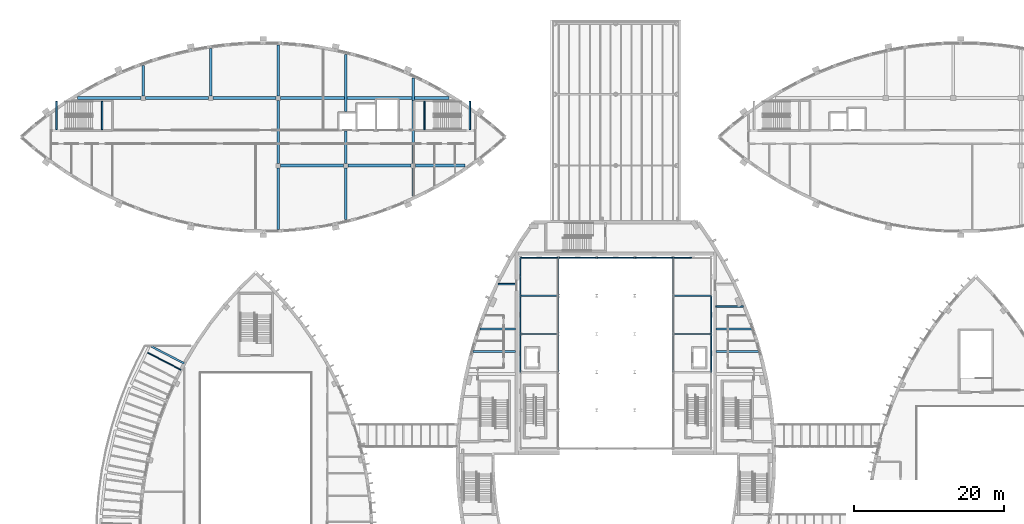
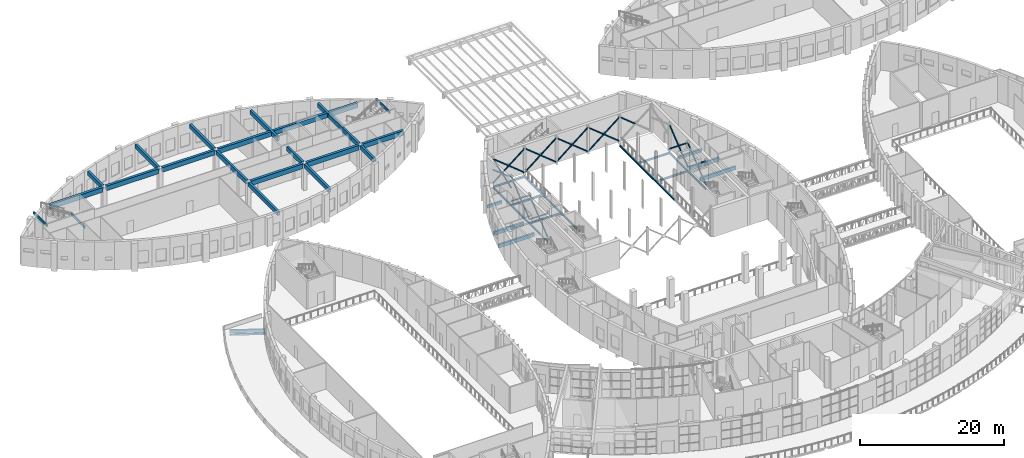
# One storey, part 37 of 93: 47 beams, 28 members.
"""IFC4 building model written with IfcOpenShell, lengths in metres."""

from ifc_helpers import new_model, si_unit, direction, frame, origin, origin_2d, place, context, subcontext, project, spatial, rectangle, hollow_circle, i_section, extrude, material, material_profile, profile_set, type_object, element, save


model = new_model("IFC4")

# Units and contexts
model_context = context("Model", 3, precision=1e-05, world=origin(), true_north=direction((0.0, 1.0)))
body_context = subcontext(model_context, "Body", "Model", "MODEL_VIEW")
ifc_project = project(units=[si_unit("LENGTHUNIT", "METRE"), si_unit("AREAUNIT", "SQUARE_METRE"), si_unit("VOLUMEUNIT", "CUBIC_METRE"), si_unit("PLANEANGLEUNIT", "RADIAN"), si_unit("MASSUNIT", "GRAM", prefix="KILO")], contexts=[model_context])

# Site, building, storey
site_placement = place(None, origin())
site = spatial("IfcSite", under=ifc_project, at=site_placement, CompositionType="ELEMENT")
building_placement = place(site_placement, origin())
building = spatial("IfcBuilding", under=site, at=building_placement, Name="Tide Square Theatres", CompositionType="ELEMENT")
storey_placement = place(building_placement, frame((0.0, 0.0, 5.39990234375)))
storey = spatial("IfcBuildingStorey", under=building, at=storey_placement, Name="L01", CompositionType="ELEMENT", Elevation=5.39990234375)

# Beams
ifc_material_1 = material(Name="Concrete C35", Category="concrete")
ifc_material_profile_1 = material_profile(ifc_material_1, rectangle(XDim=0.14990234375, YDim=0.300048828125, at=origin_2d()))
ifc_profile_set_1 = profile_set([ifc_material_profile_1], Name="Concrete C35")
beam_type_1 = type_object("IfcBeamType", Name="RC arcade roof rib 150 x 300", PredefinedType="JOIST", material=ifc_profile_set_1)
beam_1_placement = place(storey_placement, frame((21.572509765625, 69.064697265625, -0.349853515625), z_axis=(0.888266219399, -0.459328992634, 0.0), x_axis=(0.459328992634, 0.888266219399, 0.0)))
element("IfcBeam", 1, at=beam_1_placement, inside=storey, type_object=beam_type_1, Name="Arcade roof rib", PredefinedType="JOIST", context=body_context, shape_type="SweptSolid", body=[
    extrude(rectangle(XDim=0.14990234375, YDim=0.300048828125, at=origin_2d()), origin(), (0.0, 0.0, 1.0), 5.020751953125),
])
ifc_material_2 = material(Name="Concrete C35", Category="concrete")
ifc_material_profile_2 = material_profile(ifc_material_2, rectangle(XDim=0.199951171875, YDim=0.39990234375, at=origin_2d()))
ifc_profile_set_2 = profile_set([ifc_material_profile_2], Name="Concrete C35")
beam_type_2 = type_object("IfcBeamType", Name="RC beam 200 x 400", PredefinedType="BEAM", material=ifc_profile_set_2)
for number, where, z_axis, x_axis, name in (
    (2, (9.449951171875, 98.800048828125, 4.320068359375), (0.0, 1.0, 0.0), (-1.0, 0.0, 0.0), "Scenery Workshops stair floor landing beam"),
    (3, (15.51953125, 98.800048828125, 2.0), (0.0, 1.0, 0.0), (-1.0, 0.0, 0.0), "Scenery Workshops stair landing beam"),
    (4, (64.550048828125, 102.550048828125, 4.320068359375), (0.0, -1.0, 0.0), (1.0, 0.0, 0.0), "Scenery Workshops stair floor landing beam"),
    (5, (58.48046875, 98.800048828125, 2.0), (0.0, 1.0, 0.0), (-1.0, 0.0, 0.0), "Scenery Workshops stair landing beam"),
):
    element("IfcBeam", number, at=place(storey_placement, frame(where, z_axis=z_axis, x_axis=x_axis)), inside=storey, type_object=beam_type_2, Name=name, PredefinedType="BEAM", context=body_context, shape_type="SweptSolid", body=[
        extrude(rectangle(XDim=0.199951171875, YDim=0.39990234375, at=origin_2d()), origin(), (0.0, 0.0, 1.0), 3.75),
    ])
ifc_material_3 = material(Name="Concrete C35", Category="concrete")
ifc_material_profile_3 = material_profile(ifc_material_3, rectangle(XDim=0.25, YDim=0.5, at=origin_2d()))
ifc_profile_set_3 = profile_set([ifc_material_profile_3], Name="Concrete C35")
beam_type_3 = type_object("IfcBeamType", Name="RC beam 250 x 500", PredefinedType="BEAM", material=ifc_profile_set_3)
beam_2_placement = place(storey_placement, frame((22.076416015625, 69.88525390625, -0.449951171875), z_axis=(0.888268300343, -0.459324968412, 0.0), x_axis=(0.459324968412, 0.888268300343, 0.0)))
element("IfcBeam", 6, at=beam_2_placement, inside=storey, type_object=beam_type_3, Name="Arcade slab beam", PredefinedType="BEAM", context=body_context, shape_type="SweptSolid", body=[
    extrude(rectangle(XDim=0.25, YDim=0.5, at=origin_2d()), origin(), (0.0, 0.0, 1.0), 4.949951171875),
])
beam_3_placement = place(storey_placement, frame((68.314697265625, 78.199951171875, -0.5), z_axis=(1.0, 0.0, 0.0), x_axis=(0.0, 1.0, 0.0)))
element("IfcBeam", 7, at=beam_3_placement, inside=storey, type_object=beam_type_3, Name="Floor beam", PredefinedType="BEAM", context=body_context, shape_type="SweptSolid", body=[
    extrude(rectangle(XDim=0.25, YDim=0.5, at=origin_2d()), origin(), (0.0, 0.0, 1.0), 2.335205078125),
])
beam_4_placement = place(storey_placement, frame((97.35009765625, 75.199951171875, -0.5), z_axis=(1.0, 0.0, 0.0), x_axis=(0.0, 1.0, 0.0)))
element("IfcBeam", 8, at=beam_4_placement, inside=storey, type_object=beam_type_3, Name="Floor beam", PredefinedType="BEAM", context=body_context, shape_type="SweptSolid", body=[
    extrude(rectangle(XDim=0.25, YDim=0.5, at=origin_2d()), origin(), (0.0, 0.0, 1.0), 3.663330078125),
])
ifc_material_4 = material(Name="Concrete C35", Category="concrete")
ifc_material_profile_4 = material_profile(ifc_material_4, rectangle(XDim=0.300048828125, YDim=0.60009765625, at=origin_2d()))
ifc_profile_set_4 = profile_set([ifc_material_profile_4], Name="Concrete C35")
beam_type_4 = type_object("IfcBeamType", Name="RC beam 300 x 600", PredefinedType="BEAM", material=ifc_profile_set_4)
beam_5_placement = place(storey_placement, frame((64.94970703125, 69.199951171875, -0.5498046875), z_axis=(1.0, 0.0, 0.0), x_axis=(0.0, 1.0, 0.0)))
element("IfcBeam", 9, at=beam_5_placement, inside=storey, type_object=beam_type_4, Name="Floor beam", PredefinedType="BEAM", context=body_context, shape_type="SweptSolid", body=[
    extrude(rectangle(XDim=0.300048828125, YDim=0.60009765625, at=origin_2d()), origin(), (0.0, 0.0, 1.0), 5.7001953125),
])
beam_6_placement = place(storey_placement, frame((65.870849609375, 72.199951171875, -0.5498046875), z_axis=(1.0, 0.0, 0.0), x_axis=(0.0, 1.0, 0.0)))
element("IfcBeam", 10, at=beam_6_placement, inside=storey, type_object=beam_type_4, Name="Floor beam", PredefinedType="BEAM", context=body_context, shape_type="SweptSolid", body=[
    extrude(rectangle(XDim=0.300048828125, YDim=0.60009765625, at=origin_2d()), origin(), (0.0, 0.0, 1.0), 4.779052734375),
])
beam_7_placement = place(storey_placement, frame((97.35009765625, 69.199951171875, -0.5498046875), z_axis=(1.0, 0.0, 0.0), x_axis=(0.0, 1.0, 0.0)))
element("IfcBeam", 11, at=beam_7_placement, inside=storey, type_object=beam_type_4, Name="Floor beam", PredefinedType="BEAM", context=body_context, shape_type="SweptSolid", body=[
    extrude(rectangle(XDim=0.300048828125, YDim=0.60009765625, at=origin_2d()), origin(), (0.0, 0.0, 1.0), 5.7001953125),
])
beam_8_placement = place(storey_placement, frame((97.35009765625, 72.199951171875, -0.5498046875), z_axis=(1.0, 0.0, 0.0), x_axis=(0.0, 1.0, 0.0)))
element("IfcBeam", 12, at=beam_8_placement, inside=storey, type_object=beam_type_4, Name="Floor beam", PredefinedType="BEAM", context=body_context, shape_type="SweptSolid", body=[
    extrude(rectangle(XDim=0.300048828125, YDim=0.60009765625, at=origin_2d()), origin(), (0.0, 0.0, 1.0), 4.779052734375),
])
ifc_material_5 = material(Name="Concrete C35", Category="concrete")
ifc_material_profile_5 = material_profile(ifc_material_5, rectangle(XDim=0.35009765625, YDim=0.699951171875, at=origin_2d()))
ifc_profile_set_5 = profile_set([ifc_material_profile_5], Name="Concrete C35")
beam_type_5 = type_object("IfcBeamType", Name="RC beam 350 x 700", PredefinedType="BEAM", material=ifc_profile_set_5)
beam_9_placement = place(storey_placement, frame((21.0, 103.300048828125, 4.170166015625), z_axis=(0.0, 1.0, 0.0), x_axis=(-1.0, 0.0, 0.0)))
element("IfcBeam", 13, at=beam_9_placement, inside=storey, type_object=beam_type_5, Name="Scenery Workshops floor beam L02 8", PredefinedType="BEAM", context=body_context, shape_type="SweptSolid", body=[
    extrude(rectangle(XDim=0.35009765625, YDim=0.699951171875, at=origin_2d()), origin(), (0.0, 0.0, 1.0), 4.004150390625),
])
beam_10_placement = place(storey_placement, frame((30.0, 103.300048828125, 4.170166015625), z_axis=(0.0, 1.0, 0.0), x_axis=(-1.0, 0.0, 0.0)))
element("IfcBeam", 14, at=beam_10_placement, inside=storey, type_object=beam_type_5, Name="Scenery Workshops floor beam L02 9", PredefinedType="BEAM", context=body_context, shape_type="SweptSolid", body=[
    extrude(rectangle(XDim=0.35009765625, YDim=0.699951171875, at=origin_2d()), origin(), (0.0, 0.0, 1.0), 6.30712890625),
])
beam_11_placement = place(storey_placement, frame((39.0, 85.501708984375, 4.170166015625), z_axis=(0.0, 1.0, 0.0), x_axis=(-1.0, 0.0, 0.0)))
element("IfcBeam", 15, at=beam_11_placement, inside=storey, type_object=beam_type_5, Name="Scenery Workshops floor beam L02 10", PredefinedType="BEAM", context=body_context, shape_type="SweptSolid", body=[
    extrude(rectangle(XDim=0.35009765625, YDim=0.699951171875, at=origin_2d()), origin(), (0.0, 0.0, 1.0), 8.1982421875),
])
beam_12_placement = place(storey_placement, frame((39.0, 94.300048828125, 4.170166015625), z_axis=(0.0, 1.0, 0.0), x_axis=(-1.0, 0.0, 0.0)))
element("IfcBeam", 16, at=beam_12_placement, inside=storey, type_object=beam_type_5, Name="Scenery Workshops floor beam L02 11", PredefinedType="BEAM", context=body_context, shape_type="SweptSolid", body=[
    extrude(rectangle(XDim=0.35009765625, YDim=0.699951171875, at=origin_2d()), origin(), (0.0, 0.0, 1.0), 8.39990234375),
])
beam_13_placement = place(storey_placement, frame((39.0, 103.300048828125, 4.170166015625), z_axis=(0.0, 1.0, 0.0), x_axis=(-1.0, 0.0, 0.0)))
element("IfcBeam", 17, at=beam_13_placement, inside=storey, type_object=beam_type_5, Name="Scenery Workshops floor beam L02 12", PredefinedType="BEAM", context=body_context, shape_type="SweptSolid", body=[
    extrude(rectangle(XDim=0.35009765625, YDim=0.699951171875, at=origin_2d()), origin(), (0.0, 0.0, 1.0), 6.79833984375),
])
beam_14_placement = place(storey_placement, frame((48.0, 86.7958984375, 4.170166015625), z_axis=(0.0, 1.0, 0.0), x_axis=(-1.0, 0.0, 0.0)))
element("IfcBeam", 18, at=beam_14_placement, inside=storey, type_object=beam_type_5, Name="Scenery Workshops floor beam L02 13", PredefinedType="BEAM", context=body_context, shape_type="SweptSolid", body=[
    extrude(rectangle(XDim=0.35009765625, YDim=0.699951171875, at=origin_2d()), origin(), (0.0, 0.0, 1.0), 6.904052734375),
])
beam_15_placement = place(storey_placement, frame((48.0, 94.300048828125, 4.170166015625), z_axis=(0.0, 1.0, 0.0), x_axis=(-1.0, 0.0, 0.0)))
element("IfcBeam", 19, at=beam_15_placement, inside=storey, type_object=beam_type_5, Name="Scenery Workshops floor beam L02 14", PredefinedType="BEAM", context=body_context, shape_type="SweptSolid", body=[
    extrude(rectangle(XDim=0.35009765625, YDim=0.699951171875, at=origin_2d()), origin(), (0.0, 0.0, 1.0), 4.300048828125),
])
beam_16_placement = place(storey_placement, frame((48.0, 101.199951171875, 4.170166015625), z_axis=(0.0, 1.0, 0.0), x_axis=(-1.0, 0.0, 0.0)))
element("IfcBeam", 20, at=beam_16_placement, inside=storey, type_object=beam_type_5, Name="Scenery Workshops floor beam L02 15", PredefinedType="BEAM", context=body_context, shape_type="SweptSolid", body=[
    extrude(rectangle(XDim=0.35009765625, YDim=0.699951171875, at=origin_2d()), origin(), (0.0, 0.0, 1.0), 7.60400390625),
])
beam_17_placement = place(storey_placement, frame((57.0, 89.957763671875, 4.170166015625), z_axis=(0.0, 1.0, 0.0), x_axis=(-1.0, 0.0, 0.0)))
element("IfcBeam", 21, at=beam_17_placement, inside=storey, type_object=beam_type_5, Name="Scenery Workshops floor beam L02 16", PredefinedType="BEAM", context=body_context, shape_type="SweptSolid", body=[
    extrude(rectangle(XDim=0.35009765625, YDim=0.699951171875, at=origin_2d()), origin(), (0.0, 0.0, 1.0), 3.7421875),
])
beam_18_placement = place(storey_placement, frame((57.0, 94.300048828125, 4.170166015625), z_axis=(0.0, 1.0, 0.0), x_axis=(-1.0, 0.0, 0.0)))
element("IfcBeam", 22, at=beam_18_placement, inside=storey, type_object=beam_type_5, Name="Scenery Workshops floor beam L02 17", PredefinedType="BEAM", context=body_context, shape_type="SweptSolid", body=[
    extrude(rectangle(XDim=0.35009765625, YDim=0.699951171875, at=origin_2d()), origin(), (0.0, 0.0, 1.0), 4.39990234375),
])
beam_19_placement = place(storey_placement, frame((57.0, 98.699951171875, 4.170166015625), z_axis=(0.0, 1.0, 0.0), x_axis=(-1.0, 0.0, 0.0)))
element("IfcBeam", 23, at=beam_19_placement, inside=storey, type_object=beam_type_5, Name="Scenery Workshops floor beam L02 18", PredefinedType="BEAM", context=body_context, shape_type="SweptSolid", body=[
    extrude(rectangle(XDim=0.35009765625, YDim=0.699951171875, at=origin_2d()), origin(), (0.0, 0.0, 1.0), 3.949951171875),
])
beam_20_placement = place(storey_placement, frame((57.0, 102.64990234375, 4.170166015625), z_axis=(0.0, 1.0, 0.0), x_axis=(-1.0, 0.0, 0.0)))
element("IfcBeam", 24, at=beam_20_placement, inside=storey, type_object=beam_type_5, Name="Scenery Workshops floor beam L02 19", PredefinedType="BEAM", context=body_context, shape_type="SweptSolid", body=[
    extrude(rectangle(XDim=0.35009765625, YDim=0.699951171875, at=origin_2d()), origin(), (0.0, 0.0, 1.0), 2.9921875),
])
ifc_material_6 = material(Name="Concrete C35", Category="concrete")
ifc_material_profile_6 = material_profile(ifc_material_6, rectangle(XDim=0.39990234375, YDim=0.800048828125, at=origin_2d()))
ifc_profile_set_6 = profile_set([ifc_material_profile_6], Name="Concrete C35")
beam_type_6 = type_object("IfcBeamType", Name="RC beam 400 x 800", PredefinedType="BEAM", material=ifc_profile_set_6)
for number, where, z_axis, x_axis, name in (
    (25, (39.300048828125, 94.0, 4.1201171875), (1.0, 0.0, 0.0), (0.0, 1.0, 0.0), "Scenery Workshops floor beam L02 1"),
    (26, (48.300048828125, 94.0, 4.1201171875), (1.0, 0.0, 0.0), (0.0, 1.0, 0.0), "Scenery Workshops floor beam L02 2"),
):
    element("IfcBeam", number, at=place(storey_placement, frame(where, z_axis=z_axis, x_axis=x_axis)), inside=storey, type_object=beam_type_6, Name=name, PredefinedType="BEAM", context=body_context, shape_type="SweptSolid", body=[
        extrude(rectangle(XDim=0.39990234375, YDim=0.800048828125, at=origin_2d()), origin(), (0.0, 0.0, 1.0), 8.39990234375),
    ])
beam_21_placement = place(storey_placement, frame((57.300048828125, 94.0, 4.1201171875), z_axis=(1.0, 0.0, 0.0), x_axis=(0.0, 1.0, 0.0)))
element("IfcBeam", 27, at=beam_21_placement, inside=storey, type_object=beam_type_6, Name="Scenery Workshops floor beam L02 3", PredefinedType="BEAM", context=body_context, shape_type="SweptSolid", body=[
    extrude(rectangle(XDim=0.39990234375, YDim=0.800048828125, at=origin_2d()), origin(), (0.0, 0.0, 1.0), 6.611572265625),
])
beam_22_placement = place(storey_placement, frame((12.257080078125, 103.0, 4.1201171875), z_axis=(1.0, 0.0, 0.0), x_axis=(0.0, 1.0, 0.0)))
element("IfcBeam", 28, at=beam_22_placement, inside=storey, type_object=beam_type_6, Name="Scenery Workshops floor beam L02 4", PredefinedType="BEAM", context=body_context, shape_type="SweptSolid", body=[
    extrude(rectangle(XDim=0.39990234375, YDim=0.800048828125, at=origin_2d()), origin(), (0.0, 0.0, 1.0), 8.44287109375),
])
for number, where, z_axis, x_axis, name in (
    (29, (21.300048828125, 103.0, 4.1201171875), (1.0, 0.0, 0.0), (0.0, 1.0, 0.0), "Scenery Workshops floor beam L02 5"),
    (30, (30.300048828125, 103.0, 4.1201171875), (1.0, 0.0, 0.0), (0.0, 1.0, 0.0), "Scenery Workshops floor beam L02 6"),
):
    element("IfcBeam", number, at=place(storey_placement, frame(where, z_axis=z_axis, x_axis=x_axis)), inside=storey, type_object=beam_type_6, Name=name, PredefinedType="BEAM", context=body_context, shape_type="SweptSolid", body=[
        extrude(rectangle(XDim=0.39990234375, YDim=0.800048828125, at=origin_2d()), origin(), (0.0, 0.0, 1.0), 8.39990234375),
    ])
beam_23_placement = place(storey_placement, frame((39.300048828125, 103.0, 4.1201171875), z_axis=(1.0, 0.0, 0.0), x_axis=(0.0, 1.0, 0.0)))
element("IfcBeam", 31, at=beam_23_placement, inside=storey, type_object=beam_type_6, Name="Scenery Workshops floor beam L02 7", PredefinedType="BEAM", context=body_context, shape_type="SweptSolid", body=[
    extrude(rectangle(XDim=0.39990234375, YDim=0.800048828125, at=origin_2d()), origin(), (0.0, 0.0, 1.0), 22.44287109375),
])
ifc_material_7 = material(Name="Steel ASTM A572 Grade 50", Category="steel")
ifc_material_profile_7 = material_profile(ifc_material_7, i_section(OverallWidth=0.1650390625, OverallDepth=0.31005859375, WebThickness=0.005859375, FlangeThickness=0.009765625, FilletRadius=0.010009765625, at=origin_2d()))
ifc_profile_set_7 = profile_set([ifc_material_profile_7], Name="Steel ASTM A572 Grade 50")
beam_type_7 = type_object("IfcBeamType", Name="Steel beam W 310 x 38.7", PredefinedType="BEAM", material=ifc_profile_set_7)
beam_24_placement = place(storey_placement, frame((71.27587890625, 66.455078125, -0.35498046875), z_axis=(0.0, 1.0, 0.0), x_axis=(-1.0, 0.0, 0.0)))
element("IfcBeam", 32, at=beam_24_placement, inside=storey, type_object=beam_type_7, Name="Fly gallery beam", PredefinedType="BEAM", context=body_context, shape_type="SweptSolid", body=[
    extrude(i_section(OverallWidth=0.1650390625, OverallDepth=0.31005859375, WebThickness=0.005859375, FlangeThickness=0.009765625, FilletRadius=0.010009765625, at=origin_2d()), origin(), (0.0, 0.0, 1.0), 5.08984375),
])
for number, where, z_axis, x_axis, name in (
    (33, (71.27587890625, 71.544921875, -0.35498046875), (0.0, 1.0, 0.0), (-1.0, 0.0, 0.0), "Fly gallery beam"),
    (34, (71.27587890625, 76.634521484375, -0.35498046875), (0.0, 1.0, 0.0), (-1.0, 0.0, 0.0), "Fly gallery beam"),
):
    element("IfcBeam", number, at=place(storey_placement, frame(where, z_axis=z_axis, x_axis=x_axis)), inside=storey, type_object=beam_type_7, Name=name, PredefinedType="BEAM", context=body_context, shape_type="SweptSolid", body=[
        extrude(i_section(OverallWidth=0.1650390625, OverallDepth=0.31005859375, WebThickness=0.005859375, FlangeThickness=0.009765625, FilletRadius=0.010009765625, at=origin_2d()), origin(), (0.0, 0.0, 1.0), 5.089599609375),
    ])
beam_25_placement = place(storey_placement, frame((76.365478515625, 66.455078125, -0.35498046875), z_axis=(0.0, 1.0, 0.0), x_axis=(-1.0, 0.0, 0.0)))
element("IfcBeam", 35, at=beam_25_placement, inside=storey, type_object=beam_type_7, Name="Fly gallery beam", PredefinedType="BEAM", context=body_context, shape_type="SweptSolid", body=[
    extrude(i_section(OverallWidth=0.1650390625, OverallDepth=0.31005859375, WebThickness=0.005859375, FlangeThickness=0.009765625, FilletRadius=0.010009765625, at=origin_2d()), origin(), (0.0, 0.0, 1.0), 5.08984375),
])
for number, where, z_axis, x_axis, name in (
    (36, (76.365478515625, 71.544921875, -0.35498046875), (0.0, 1.0, 0.0), (-1.0, 0.0, 0.0), "Fly gallery beam"),
    (37, (76.365478515625, 76.634521484375, -0.35498046875), (0.0, 1.0, 0.0), (-1.0, 0.0, 0.0), "Fly gallery beam"),
    (38, (71.27587890625, 71.544921875, -0.35498046875), (1.0, 0.0, 0.0), (0.0, 1.0, 0.0), "Fly gallery cross beam"),
    (39, (71.27587890625, 76.634521484375, -0.35498046875), (1.0, 0.0, 0.0), (0.0, 1.0, 0.0), "Fly gallery cross beam"),
    (40, (71.27587890625, 81.72412109375, -0.35498046875), (1.0, 0.0, 0.0), (0.0, 1.0, 0.0), "Fly gallery cross beam"),
):
    element("IfcBeam", number, at=place(storey_placement, frame(where, z_axis=z_axis, x_axis=x_axis)), inside=storey, type_object=beam_type_7, Name=name, PredefinedType="BEAM", context=body_context, shape_type="SweptSolid", body=[
        extrude(i_section(OverallWidth=0.1650390625, OverallDepth=0.31005859375, WebThickness=0.005859375, FlangeThickness=0.009765625, FilletRadius=0.010009765625, at=origin_2d()), origin(), (0.0, 0.0, 1.0), 5.089599609375),
    ])
beam_26_placement = place(storey_placement, frame((91.634521484375, 66.455078125, -0.35498046875), z_axis=(0.0, 1.0, 0.0), x_axis=(-1.0, 0.0, 0.0)))
element("IfcBeam", 41, at=beam_26_placement, inside=storey, type_object=beam_type_7, Name="Fly gallery beam", PredefinedType="BEAM", context=body_context, shape_type="SweptSolid", body=[
    extrude(i_section(OverallWidth=0.1650390625, OverallDepth=0.31005859375, WebThickness=0.005859375, FlangeThickness=0.009765625, FilletRadius=0.010009765625, at=origin_2d()), origin(), (0.0, 0.0, 1.0), 5.08984375),
])
for number, where, z_axis, x_axis, name in (
    (42, (91.634521484375, 71.544921875, -0.35498046875), (0.0, 1.0, 0.0), (-1.0, 0.0, 0.0), "Fly gallery beam"),
    (43, (91.634521484375, 76.634521484375, -0.35498046875), (0.0, 1.0, 0.0), (-1.0, 0.0, 0.0), "Fly gallery beam"),
):
    element("IfcBeam", number, at=place(storey_placement, frame(where, z_axis=z_axis, x_axis=x_axis)), inside=storey, type_object=beam_type_7, Name=name, PredefinedType="BEAM", context=body_context, shape_type="SweptSolid", body=[
        extrude(i_section(OverallWidth=0.1650390625, OverallDepth=0.31005859375, WebThickness=0.005859375, FlangeThickness=0.009765625, FilletRadius=0.010009765625, at=origin_2d()), origin(), (0.0, 0.0, 1.0), 5.089599609375),
    ])
beam_27_placement = place(storey_placement, frame((96.72412109375, 66.455078125, -0.35498046875), z_axis=(0.0, 1.0, 0.0), x_axis=(-1.0, 0.0, 0.0)))
element("IfcBeam", 44, at=beam_27_placement, inside=storey, type_object=beam_type_7, Name="Fly gallery beam", PredefinedType="BEAM", context=body_context, shape_type="SweptSolid", body=[
    extrude(i_section(OverallWidth=0.1650390625, OverallDepth=0.31005859375, WebThickness=0.005859375, FlangeThickness=0.009765625, FilletRadius=0.010009765625, at=origin_2d()), origin(), (0.0, 0.0, 1.0), 5.08984375),
])
for number, where, z_axis, x_axis, name in (
    (45, (96.72412109375, 71.544921875, -0.35498046875), (0.0, 1.0, 0.0), (-1.0, 0.0, 0.0), "Fly gallery beam"),
    (46, (91.634521484375, 71.544921875, -0.35498046875), (1.0, 0.0, 0.0), (0.0, 1.0, 0.0), "Fly gallery cross beam"),
    (47, (91.634521484375, 76.634521484375, -0.35498046875), (1.0, 0.0, 0.0), (0.0, 1.0, 0.0), "Fly gallery cross beam"),
):
    element("IfcBeam", number, at=place(storey_placement, frame(where, z_axis=z_axis, x_axis=x_axis)), inside=storey, type_object=beam_type_7, Name=name, PredefinedType="BEAM", context=body_context, shape_type="SweptSolid", body=[
        extrude(i_section(OverallWidth=0.1650390625, OverallDepth=0.31005859375, WebThickness=0.005859375, FlangeThickness=0.009765625, FilletRadius=0.010009765625, at=origin_2d()), origin(), (0.0, 0.0, 1.0), 5.089599609375),
    ])

# Members
ifc_material_8 = material(Name="Steel ASTM A500 Grade C", Category="steel")
ifc_material_profile_8 = material_profile(ifc_material_8, hollow_circle(Radius=0.109619140625, WallThickness=0.010009765625, at=origin_2d()))
ifc_profile_set_8 = profile_set([ifc_material_profile_8], Name="Steel ASTM A500 Grade C")
member_type = type_object("IfcMemberType", Name="Steel brace CHS 219.1 x 10.0", PredefinedType="BRACE", material=ifc_profile_set_8)
member_1_placement = place(storey_placement, frame((71.27587890625, 81.72412109375, 0.35009765625), z_axis=(0.778743263534, 0.0, 0.627342752808), x_axis=(0.0, 1.0, 0.0)))
element("IfcMember", 48, at=member_1_placement, inside=storey, type_object=member_type, Name="Fly tower brace", PredefinedType="BRACE", context=body_context, shape_type="SweptSolid", body=[
    extrude(hollow_circle(Radius=0.109619140625, WallThickness=0.010009765625, at=origin_2d()), origin(), (0.0, 0.0, 1.0), 6.53564453125),
])
member_2_placement = place(storey_placement, frame((76.365478515625, 81.72412109375, 0.35009765625), z_axis=(-0.778726492764, 0.0, 0.627363570402), x_axis=(0.0, -1.0, 0.0)))
element("IfcMember", 49, at=member_2_placement, inside=storey, type_object=member_type, Name="Fly tower brace", PredefinedType="BRACE", context=body_context, shape_type="SweptSolid", body=[
    extrude(hollow_circle(Radius=0.109619140625, WallThickness=0.010009765625, at=origin_2d()), origin(), (0.0, 0.0, 1.0), 3.14208984375),
])
member_3_placement = place(storey_placement, frame((73.722900390625, 81.72412109375, 2.47900390625), z_axis=(-0.778757072218, 0.0, 0.627325611203), x_axis=(0.0, -1.0, 0.0)))
element("IfcMember", 50, at=member_3_placement, inside=storey, type_object=member_type, Name="Fly tower brace", PredefinedType="BRACE", context=body_context, shape_type="SweptSolid", body=[
    extrude(hollow_circle(Radius=0.109619140625, WallThickness=0.010009765625, at=origin_2d()), origin(), (0.0, 0.0, 1.0), 3.142333984375),
])
member_4_placement = place(storey_placement, frame((76.365478515625, 81.72412109375, 0.35009765625), z_axis=(0.778743263534, 0.0, 0.627342752808), x_axis=(0.0, 1.0, 0.0)))
element("IfcMember", 51, at=member_4_placement, inside=storey, type_object=member_type, Name="Fly tower brace", PredefinedType="BRACE", context=body_context, shape_type="SweptSolid", body=[
    extrude(hollow_circle(Radius=0.109619140625, WallThickness=0.010009765625, at=origin_2d()), origin(), (0.0, 0.0, 1.0), 6.53564453125),
])
member_5_placement = place(storey_placement, frame((81.455078125, 81.72412109375, 0.35009765625), z_axis=(-0.778726492764, 0.0, 0.627363570402), x_axis=(0.0, -1.0, 0.0)))
element("IfcMember", 52, at=member_5_placement, inside=storey, type_object=member_type, Name="Fly tower brace", PredefinedType="BRACE", context=body_context, shape_type="SweptSolid", body=[
    extrude(hollow_circle(Radius=0.109619140625, WallThickness=0.010009765625, at=origin_2d()), origin(), (0.0, 0.0, 1.0), 3.14208984375),
])
member_6_placement = place(storey_placement, frame((78.8125, 81.72412109375, 2.47900390625), z_axis=(-0.778757072218, 0.0, 0.627325611203), x_axis=(0.0, -1.0, 0.0)))
element("IfcMember", 53, at=member_6_placement, inside=storey, type_object=member_type, Name="Fly tower brace", PredefinedType="BRACE", context=body_context, shape_type="SweptSolid", body=[
    extrude(hollow_circle(Radius=0.109619140625, WallThickness=0.010009765625, at=origin_2d()), origin(), (0.0, 0.0, 1.0), 3.142333984375),
])
member_7_placement = place(storey_placement, frame((81.455078125, 81.72412109375, 0.35009765625), z_axis=(0.778757964354, 0.0, 0.627324503711), x_axis=(0.0, 1.0, 0.0)))
element("IfcMember", 54, at=member_7_placement, inside=storey, type_object=member_type, Name="Fly tower brace", PredefinedType="BRACE", context=body_context, shape_type="SweptSolid", body=[
    extrude(hollow_circle(Radius=0.109619140625, WallThickness=0.010009765625, at=origin_2d()), origin(), (0.0, 0.0, 1.0), 6.535888671875),
])
for number, where, z_axis, x_axis, name in (
    (55, (86.544921875, 81.72412109375, 0.35009765625), (-0.778757072218, 0.0, 0.627325611203), (0.0, -1.0, 0.0), "Fly tower brace"),
    (56, (83.902099609375, 81.72412109375, 2.47900390625), (-0.778757072218, 0.0, 0.627325611203), (0.0, -1.0, 0.0), "Fly tower brace"),
):
    element("IfcMember", number, at=place(storey_placement, frame(where, z_axis=z_axis, x_axis=x_axis)), inside=storey, type_object=member_type, Name=name, PredefinedType="BRACE", context=body_context, shape_type="SweptSolid", body=[
        extrude(hollow_circle(Radius=0.109619140625, WallThickness=0.010009765625, at=origin_2d()), origin(), (0.0, 0.0, 1.0), 3.142333984375),
    ])
member_8_placement = place(storey_placement, frame((86.544921875, 81.72412109375, 0.35009765625), z_axis=(0.778743263534, 0.0, 0.627342752808), x_axis=(0.0, 1.0, 0.0)))
element("IfcMember", 57, at=member_8_placement, inside=storey, type_object=member_type, Name="Fly tower brace", PredefinedType="BRACE", context=body_context, shape_type="SweptSolid", body=[
    extrude(hollow_circle(Radius=0.109619140625, WallThickness=0.010009765625, at=origin_2d()), origin(), (0.0, 0.0, 1.0), 6.53564453125),
])
member_9_placement = place(storey_placement, frame((91.634521484375, 81.72412109375, 0.35009765625), z_axis=(-0.778757072218, 0.0, 0.627325611203), x_axis=(0.0, -1.0, 0.0)))
element("IfcMember", 58, at=member_9_placement, inside=storey, type_object=member_type, Name="Fly tower brace", PredefinedType="BRACE", context=body_context, shape_type="SweptSolid", body=[
    extrude(hollow_circle(Radius=0.109619140625, WallThickness=0.010009765625, at=origin_2d()), origin(), (0.0, 0.0, 1.0), 3.142333984375),
])
for number, where, z_axis, x_axis, name in (
    (59, (88.99169921875, 81.72412109375, 2.47900390625), (-0.778726492764, 0.0, 0.627363570402), (0.0, -1.0, 0.0), "Fly tower brace"),
    (60, (94.081298828125, 81.72412109375, 2.47900390625), (-0.778726492764, 0.0, 0.627363570402), (0.0, -1.0, 0.0), "Fly tower brace"),
):
    element("IfcMember", number, at=place(storey_placement, frame(where, z_axis=z_axis, x_axis=x_axis)), inside=storey, type_object=member_type, Name=name, PredefinedType="BRACE", context=body_context, shape_type="SweptSolid", body=[
        extrude(hollow_circle(Radius=0.109619140625, WallThickness=0.010009765625, at=origin_2d()), origin(), (0.0, 0.0, 1.0), 3.14208984375),
    ])
member_10_placement = place(storey_placement, frame((71.27587890625, 66.455078125, 0.35009765625), z_axis=(0.0, 0.778757964354, 0.627324503711), x_axis=(-1.0, 0.0, 0.0)))
element("IfcMember", 61, at=member_10_placement, inside=storey, type_object=member_type, Name="Fly tower brace", PredefinedType="BRACE", context=body_context, shape_type="SweptSolid", body=[
    extrude(hollow_circle(Radius=0.109619140625, WallThickness=0.010009765625, at=origin_2d()), origin(), (0.0, 0.0, 1.0), 6.535888671875),
])
for number, where, z_axis, x_axis, name in (
    (62, (71.27587890625, 71.544921875, 0.35009765625), (0.0, -0.778757072218, 0.627325611203), (1.0, 0.0, 0.0), "Fly tower brace"),
    (63, (71.27587890625, 68.902099609375, 2.47900390625), (0.0, -0.778757072218, 0.627325611203), (1.0, 0.0, 0.0), "Fly tower brace"),
):
    element("IfcMember", number, at=place(storey_placement, frame(where, z_axis=z_axis, x_axis=x_axis)), inside=storey, type_object=member_type, Name=name, PredefinedType="BRACE", context=body_context, shape_type="SweptSolid", body=[
        extrude(hollow_circle(Radius=0.109619140625, WallThickness=0.010009765625, at=origin_2d()), origin(), (0.0, 0.0, 1.0), 3.142333984375),
    ])
member_11_placement = place(storey_placement, frame((71.27587890625, 71.544921875, 0.35009765625), z_axis=(0.0, 0.778743263534, 0.627342752808), x_axis=(-1.0, 0.0, 0.0)))
element("IfcMember", 64, at=member_11_placement, inside=storey, type_object=member_type, Name="Fly tower brace", PredefinedType="BRACE", context=body_context, shape_type="SweptSolid", body=[
    extrude(hollow_circle(Radius=0.109619140625, WallThickness=0.010009765625, at=origin_2d()), origin(), (0.0, 0.0, 1.0), 6.53564453125),
])
member_12_placement = place(storey_placement, frame((71.27587890625, 76.634521484375, 0.35009765625), z_axis=(0.0, -0.778757072218, 0.627325611203), x_axis=(1.0, 0.0, 0.0)))
element("IfcMember", 65, at=member_12_placement, inside=storey, type_object=member_type, Name="Fly tower brace", PredefinedType="BRACE", context=body_context, shape_type="SweptSolid", body=[
    extrude(hollow_circle(Radius=0.109619140625, WallThickness=0.010009765625, at=origin_2d()), origin(), (0.0, 0.0, 1.0), 3.142333984375),
])
member_13_placement = place(storey_placement, frame((71.27587890625, 73.99169921875, 2.47900390625), z_axis=(0.0, -0.778726492764, 0.627363570402), x_axis=(1.0, 0.0, 0.0)))
element("IfcMember", 66, at=member_13_placement, inside=storey, type_object=member_type, Name="Fly tower brace", PredefinedType="BRACE", context=body_context, shape_type="SweptSolid", body=[
    extrude(hollow_circle(Radius=0.109619140625, WallThickness=0.010009765625, at=origin_2d()), origin(), (0.0, 0.0, 1.0), 3.14208984375),
])
member_14_placement = place(storey_placement, frame((71.27587890625, 76.634521484375, 2.60009765625), z_axis=(0.0, 0.939832905453, 0.34163446815), x_axis=(-1.0, 0.0, 0.0)))
element("IfcMember", 67, at=member_14_placement, inside=storey, type_object=member_type, Name="Fly tower brace", PredefinedType="BRACE", context=body_context, shape_type="SweptSolid", body=[
    extrude(hollow_circle(Radius=0.109619140625, WallThickness=0.010009765625, at=origin_2d()), origin(), (0.0, 0.0, 1.0), 5.41552734375),
])
member_15_placement = place(storey_placement, frame((71.27587890625, 81.72412109375, 2.60009765625), z_axis=(0.0, -0.939836620269, 0.341624248556), x_axis=(1.0, 0.0, 0.0)))
element("IfcMember", 68, at=member_15_placement, inside=storey, type_object=member_type, Name="Fly tower brace", PredefinedType="BRACE", context=body_context, shape_type="SweptSolid", body=[
    extrude(hollow_circle(Radius=0.109619140625, WallThickness=0.010009765625, at=origin_2d()), origin(), (0.0, 0.0, 1.0), 2.474853515625),
])
member_16_placement = place(storey_placement, frame((71.27587890625, 78.960205078125, 3.604736328125), z_axis=(0.0, -0.939825105533, 0.341655924886), x_axis=(1.0, 0.0, 0.0)))
element("IfcMember", 69, at=member_16_placement, inside=storey, type_object=member_type, Name="Fly tower brace", PredefinedType="BRACE", context=body_context, shape_type="SweptSolid", body=[
    extrude(hollow_circle(Radius=0.109619140625, WallThickness=0.010009765625, at=origin_2d()), origin(), (0.0, 0.0, 1.0), 2.474609375),
])
member_17_placement = place(storey_placement, frame((96.72412109375, 66.455078125, 0.35009765625), z_axis=(0.0, 0.778757964354, 0.627324503711), x_axis=(-1.0, 0.0, 0.0)))
element("IfcMember", 70, at=member_17_placement, inside=storey, type_object=member_type, Name="Fly tower brace", PredefinedType="BRACE", context=body_context, shape_type="SweptSolid", body=[
    extrude(hollow_circle(Radius=0.109619140625, WallThickness=0.010009765625, at=origin_2d()), origin(), (0.0, 0.0, 1.0), 6.535888671875),
])
for number, where, z_axis, x_axis, name in (
    (71, (96.72412109375, 71.544921875, 0.35009765625), (0.0, -0.778757072218, 0.627325611203), (1.0, 0.0, 0.0), "Fly tower brace"),
    (72, (96.72412109375, 68.902099609375, 2.47900390625), (0.0, -0.778757072218, 0.627325611203), (1.0, 0.0, 0.0), "Fly tower brace"),
):
    element("IfcMember", number, at=place(storey_placement, frame(where, z_axis=z_axis, x_axis=x_axis)), inside=storey, type_object=member_type, Name=name, PredefinedType="BRACE", context=body_context, shape_type="SweptSolid", body=[
        extrude(hollow_circle(Radius=0.109619140625, WallThickness=0.010009765625, at=origin_2d()), origin(), (0.0, 0.0, 1.0), 3.142333984375),
    ])
member_18_placement = place(storey_placement, frame((96.72412109375, 71.544921875, 0.35009765625), z_axis=(0.0, 0.778743263534, 0.627342752808), x_axis=(-1.0, 0.0, 0.0)))
element("IfcMember", 73, at=member_18_placement, inside=storey, type_object=member_type, Name="Fly tower brace", PredefinedType="BRACE", context=body_context, shape_type="SweptSolid", body=[
    extrude(hollow_circle(Radius=0.109619140625, WallThickness=0.010009765625, at=origin_2d()), origin(), (0.0, 0.0, 1.0), 6.53564453125),
])
member_19_placement = place(storey_placement, frame((96.72412109375, 76.634521484375, 0.35009765625), z_axis=(0.0, -0.778757072218, 0.627325611203), x_axis=(1.0, 0.0, 0.0)))
element("IfcMember", 74, at=member_19_placement, inside=storey, type_object=member_type, Name="Fly tower brace", PredefinedType="BRACE", context=body_context, shape_type="SweptSolid", body=[
    extrude(hollow_circle(Radius=0.109619140625, WallThickness=0.010009765625, at=origin_2d()), origin(), (0.0, 0.0, 1.0), 3.142333984375),
])
member_20_placement = place(storey_placement, frame((96.72412109375, 73.99169921875, 2.47900390625), z_axis=(0.0, -0.778726492764, 0.627363570402), x_axis=(1.0, 0.0, 0.0)))
element("IfcMember", 75, at=member_20_placement, inside=storey, type_object=member_type, Name="Fly tower brace", PredefinedType="BRACE", context=body_context, shape_type="SweptSolid", body=[
    extrude(hollow_circle(Radius=0.109619140625, WallThickness=0.010009765625, at=origin_2d()), origin(), (0.0, 0.0, 1.0), 3.14208984375),
])

save(model, "model.ifc")
